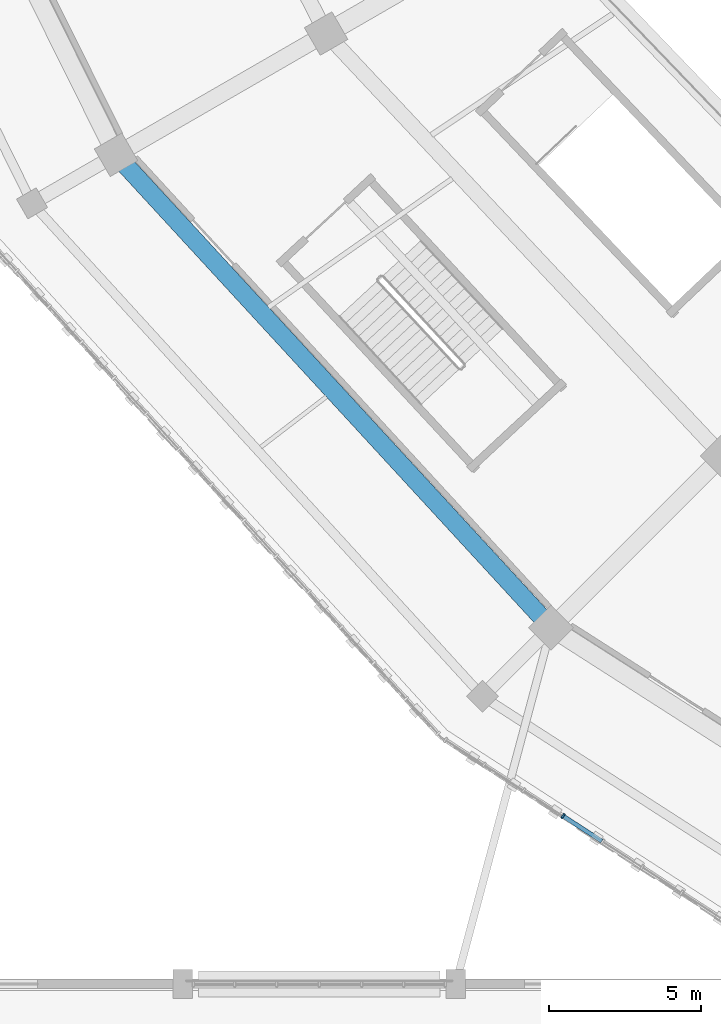
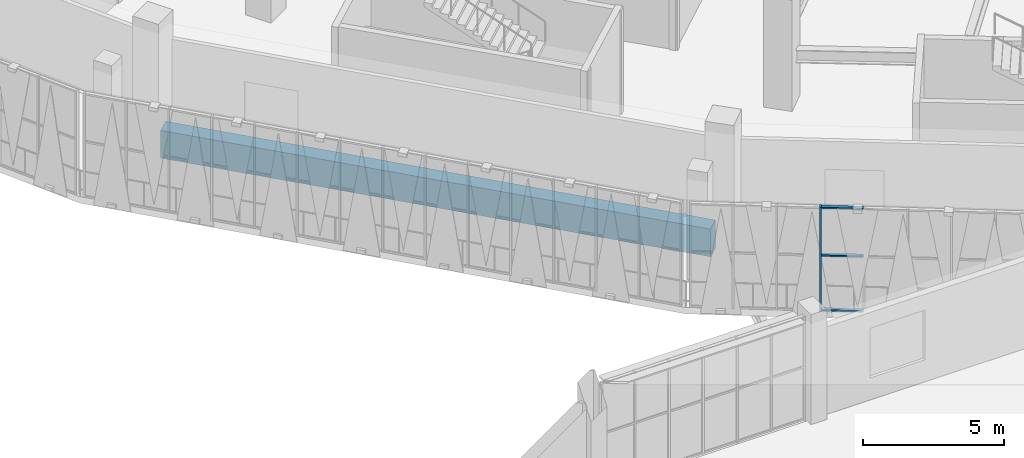
# One storey, part 10 of 179: 4 members, 1 beam, 1 element without a shape of its own.
"""IFC4 building model written with IfcOpenShell, lengths in metres."""

from ifc_helpers import new_model, si_unit, direction, frame, origin, origin_2d, place, context, subcontext, project, spatial, rectangle, extrude, material, material_profile, profile_set, type_object, element, aggregate, save


model = new_model("IFC4")

# Units and contexts
model_context = context("Model", 3, precision=1e-05, world=origin(), true_north=direction((0.0, 1.0)))
body_context = subcontext(model_context, "Body", "Model", "MODEL_VIEW")
ifc_project = project(units=[si_unit("LENGTHUNIT", "METRE"), si_unit("AREAUNIT", "SQUARE_METRE"), si_unit("VOLUMEUNIT", "CUBIC_METRE"), si_unit("PLANEANGLEUNIT", "RADIAN"), si_unit("MASSUNIT", "GRAM", prefix="KILO")], contexts=[model_context])

# Site, building, storey
site_placement = place(None, origin())
site = spatial("IfcSite", under=ifc_project, at=site_placement, CompositionType="ELEMENT")
building_placement = place(site_placement, origin())
building = spatial("IfcBuilding", under=site, at=building_placement, Name="Zevraka Park Crest Stadium", CompositionType="ELEMENT")
storey_placement = place(building_placement, frame((0.0, 0.0, 10.199951171875)))
storey = spatial("IfcBuildingStorey", under=building, at=storey_placement, Name="L02", CompositionType="ELEMENT", Elevation=10.199951171875)

# Curtain wall, members
ifc_material_1 = material(Name="Anodised architectural aluminium and laminated safety glass", Category="aluminium")
curtain_wall_type = type_object("IfcCurtainWallType", Name="CW08", PredefinedType="NOTDEFINED", material=ifc_material_1)
curtain_wall_placement = place(storey_placement, origin())
curtain_wall = element("IfcCurtainWall", 1, at=curtain_wall_placement, inside=storey, type_object=curtain_wall_type, Name="Unitised Ring Curtain Wall CW08 L02-15", PredefinedType="NOTDEFINED")
ifc_material_2 = material(Name="Anodised architectural aluminium", Category="aluminium")
ifc_material_profile_1 = material_profile(ifc_material_2, rectangle(XDim=0.179931640625, YDim=0.06494140625, at=origin_2d()), Name="ALU MULLION 180x65")
ifc_profile_set_1 = profile_set([ifc_material_profile_1], Name="Anodised architectural aluminium")
member_type_1 = type_object("IfcMemberType", Name="CM02", PredefinedType="MULLION", material=ifc_profile_set_1)
member_1_placement = place(storey_placement, frame((48.540771484375, 32.540771484375, 0.0), z_axis=(0.0, 0.0, 1.0), x_axis=(0.543096287444, 0.839670424967, 0.0)))
member_1 = element("IfcMember", 2, at=member_1_placement, type_object=member_type_1, Name="CW08 mullion 4", PredefinedType="MULLION", context=body_context, shape_type="SweptSolid", body=[
    extrude(rectangle(XDim=0.179931640625, YDim=0.06494140625, at=origin_2d()), origin(), (0.0, 0.0, 1.0), 4.5),
])
ifc_material_3 = material(Name="Anodised architectural aluminium", Category="aluminium")
ifc_material_profile_2 = material_profile(ifc_material_3, rectangle(XDim=0.139892578125, YDim=0.06494140625, at=origin_2d()), Name="ALU TRANSOM 140x65")
ifc_profile_set_2 = profile_set([ifc_material_profile_2], Name="Anodised architectural aluminium")
member_type_2 = type_object("IfcMemberType", Name="CT02", PredefinedType="USERDEFINED", material=ifc_profile_set_2)
member_2_placement = place(storey_placement, frame((48.568115234375, 32.523193359375, 0.032470703125), z_axis=(0.839675885301, -0.543087845236, 0.0), x_axis=(0.543087845236, 0.839675885301, 0.0)))
member_2 = element("IfcMember", 3, at=member_2_placement, type_object=member_type_2, Name="CW08 transom 4.1", ObjectType="TRANSOM", PredefinedType="USERDEFINED", context=body_context, shape_type="SweptSolid", body=[
    extrude(rectangle(XDim=0.139892578125, YDim=0.06494140625, at=origin_2d()), origin(), (0.0, 0.0, 1.0), 1.486572265625),
])
member_3_placement = place(storey_placement, frame((48.568115234375, 32.523193359375, 2.400146484375), z_axis=(0.839675885301, -0.543087845236, 0.0), x_axis=(0.543087845236, 0.839675885301, 0.0)))
member_3 = element("IfcMember", 4, at=member_3_placement, type_object=member_type_2, Name="CW08 transom 4.2", ObjectType="TRANSOM", PredefinedType="USERDEFINED", context=body_context, shape_type="SweptSolid", body=[
    extrude(rectangle(XDim=0.139892578125, YDim=0.06494140625, at=origin_2d()), origin(), (0.0, 0.0, 1.0), 1.486572265625),
])
member_4_placement = place(storey_placement, frame((48.568115234375, 32.523193359375, 4.467529296875), z_axis=(0.839675885301, -0.543087845236, 0.0), x_axis=(0.543087845236, 0.839675885301, 0.0)))
member_4 = element("IfcMember", 5, at=member_4_placement, type_object=member_type_2, Name="CW08 transom 4.3", ObjectType="TRANSOM", PredefinedType="USERDEFINED", context=body_context, shape_type="SweptSolid", body=[
    extrude(rectangle(XDim=0.139892578125, YDim=0.06494140625, at=origin_2d()), origin(), (0.0, 0.0, 1.0), 1.486572265625),
])
aggregate(curtain_wall, [member_1, member_2, member_3, member_4])

# Beam
ifc_material_4 = material(Name="Concrete C40/50", Category="concrete")
ifc_material_profile_3 = material_profile(ifc_material_4, rectangle(XDim=0.60009765625, YDim=1.199951171875, at=origin_2d()), Name="RC 1200x600")
ifc_profile_set_3 = profile_set([ifc_material_profile_3], Name="Concrete C40/50")
beam_type = type_object("IfcBeamType", Name="RB01", PredefinedType="BEAM", material=ifc_profile_set_3)
beam_placement = place(storey_placement, frame((34.054931640625, 54.070068359375, -0.60986328125), z_axis=(0.677158252403, -0.735837414924, 0.0), x_axis=(0.735837414924, 0.677158252403, 0.0)))
element("IfcBeam", 6, at=beam_placement, inside=storey, type_object=beam_type, Name="Ring Beam RB01 L02-D-14", PredefinedType="BEAM", context=body_context, shape_type="SweptSolid", body=[
    extrude(rectangle(XDim=0.60009765625, YDim=1.199951171875, at=origin_2d()), origin(), (0.0, 0.0, 1.0), 20.4326171875),
])

save(model, "model.ifc")
